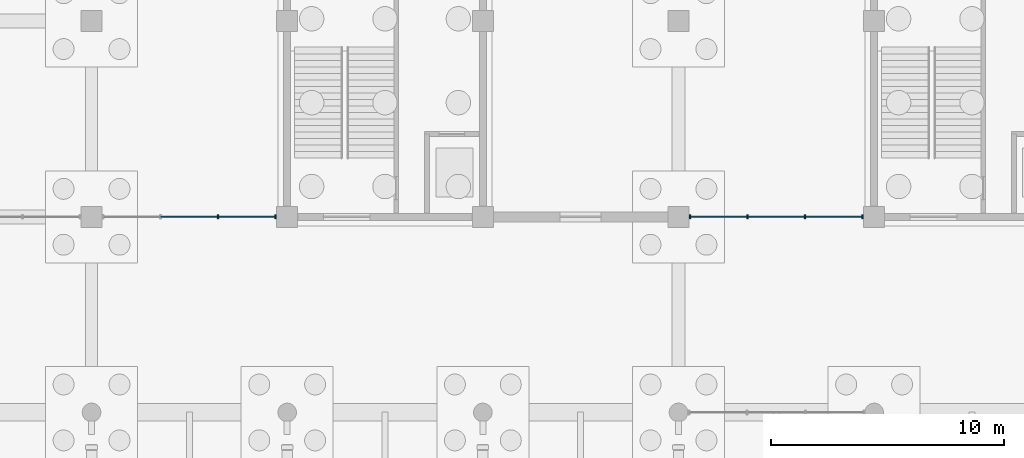
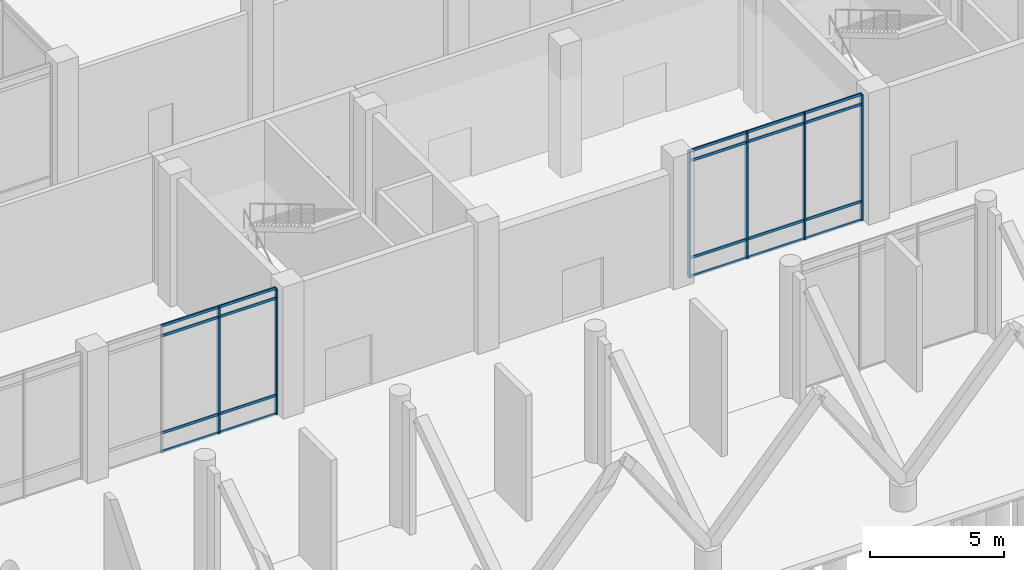
# One storey, part 19 of 72: 26 members, 2 elements without a shape of their own.
"""IFC4 building model written with IfcOpenShell, lengths in metres."""

from ifc_helpers import new_model, si_unit, direction, frame, origin, origin_2d, place, context, subcontext, project, spatial, rectangle, extrude, material, layer, layer_set, material_profile, profile_set, type_object, element, aggregate, save


model = new_model("IFC4")

# Units and contexts
model_context = context("Model", 3, precision=1e-05, world=origin(), true_north=direction((0.0, 1.0)))
body_context = subcontext(model_context, "Body", "Model", "MODEL_VIEW")
ifc_project = project(units=[si_unit("LENGTHUNIT", "METRE"), si_unit("AREAUNIT", "SQUARE_METRE"), si_unit("VOLUMEUNIT", "CUBIC_METRE"), si_unit("PLANEANGLEUNIT", "RADIAN"), si_unit("MASSUNIT", "GRAM", prefix="KILO")], contexts=[model_context])

# Site, building, storey
site_placement = place(None, origin())
site = spatial("IfcSite", under=ifc_project, at=site_placement, CompositionType="ELEMENT")
building_placement = place(site_placement, origin())
building = spatial("IfcBuilding", under=site, at=building_placement, Name="Qawsi Khor Wholesale Market", CompositionType="ELEMENT")
storey_placement = place(building_placement, origin())
storey = spatial("IfcBuildingStorey", under=building, at=storey_placement, Name="L00", CompositionType="ELEMENT", Elevation=0.0)

# Curtain wall, members
ifc_material = material(Name="Aluminium Anodised Bronze", Category="aluminium")
ifc_layer = layer(ifc_material, 0.159912109375, Name="Aluminium Anodised Bronze")
ifc_layer_set = layer_set([ifc_layer], Name="Aluminium Anodised Bronze")
curtain_wall_type = type_object("IfcCurtainWallType", Name="Boulevard Arcade Glazed Curtain Wall CW-01", PredefinedType="NOTDEFINED", material=ifc_layer_set)
curtain_wall_1_placement = place(storey_placement, origin())
curtain_wall_1 = element("IfcCurtainWall", 1, at=curtain_wall_1_placement, inside=storey, type_object=curtain_wall_type, Name="Curtain wall CW-CW-01-L00-003", PredefinedType="NOTDEFINED")
ifc_material_profile_1 = material_profile(ifc_material, rectangle(XDim=0.06494140625, YDim=0.179931640625, at=origin_2d()), Name="ALU MULLION 65x180")
ifc_profile_set_1 = profile_set([ifc_material_profile_1], Name="Aluminium Anodised Bronze")
member_type_1 = type_object("IfcMemberType", Name="Curtain Wall Mullion CW-01 ALU MULLION 65x180", PredefinedType="MULLION", material=ifc_profile_set_1)
member_1_placement = place(storey_placement, frame((64.23583984375, 8.39990234375, -0.02001953125), z_axis=(0.0, 0.0, 1.0), x_axis=(1.0, 0.0, 0.0)))
member_1 = element("IfcMember", 2, at=member_1_placement, type_object=member_type_1, Name="Mullion CW-CW-01-L00-003-M02", PredefinedType="MULLION", context=body_context, shape_type="SweptSolid", body=[
    extrude(rectangle(XDim=0.06494140625, YDim=0.179931640625, at=origin_2d()), origin(), (0.0, 0.0, 1.0), 5.739990234375),
])
member_2_placement = place(storey_placement, frame((66.70751953125, 8.39990234375, -0.02001953125), z_axis=(0.0, 0.0, 1.0), x_axis=(1.0, 0.0, 0.0)))
member_2 = element("IfcMember", 3, at=member_2_placement, type_object=member_type_1, Name="Mullion CW-CW-01-L00-003-M03", PredefinedType="MULLION", context=body_context, shape_type="SweptSolid", body=[
    extrude(rectangle(XDim=0.06494140625, YDim=0.179931640625, at=origin_2d()), origin(), (0.0, 0.0, 1.0), 5.739990234375),
])

curtain_wall_2_placement = place(storey_placement, origin())
curtain_wall_2 = element("IfcCurtainWall", 4, at=curtain_wall_2_placement, inside=storey, type_object=curtain_wall_type, Name="Curtain wall CW-CW-01-L00-004", PredefinedType="NOTDEFINED")
member_3_placement = place(storey_placement, frame((84.492431640625, 8.39990234375, -0.02001953125), z_axis=(0.0, 0.0, 1.0), x_axis=(1.0, 0.0, 0.0)))
member_3 = element("IfcMember", 5, at=member_3_placement, type_object=member_type_1, Name="Mullion CW-CW-01-L00-004-M00", PredefinedType="MULLION", context=body_context, shape_type="SweptSolid", body=[
    extrude(rectangle(XDim=0.06494140625, YDim=0.179931640625, at=origin_2d()), origin(), (0.0, 0.0, 1.0), 5.739990234375),
])
member_4_placement = place(storey_placement, frame((86.964111328125, 8.39990234375, -0.02001953125), z_axis=(0.0, 0.0, 1.0), x_axis=(1.0, 0.0, 0.0)))
member_4 = element("IfcMember", 6, at=member_4_placement, type_object=member_type_1, Name="Mullion CW-CW-01-L00-004-M01", PredefinedType="MULLION", context=body_context, shape_type="SweptSolid", body=[
    extrude(rectangle(XDim=0.06494140625, YDim=0.179931640625, at=origin_2d()), origin(), (0.0, 0.0, 1.0), 5.739990234375),
])
member_5_placement = place(storey_placement, frame((89.435791015625, 8.39990234375, -0.02001953125), z_axis=(0.0, 0.0, 1.0), x_axis=(1.0, 0.0, 0.0)))
member_5 = element("IfcMember", 7, at=member_5_placement, type_object=member_type_1, Name="Mullion CW-CW-01-L00-004-M02", PredefinedType="MULLION", context=body_context, shape_type="SweptSolid", body=[
    extrude(rectangle(XDim=0.06494140625, YDim=0.179931640625, at=origin_2d()), origin(), (0.0, 0.0, 1.0), 5.739990234375),
])
member_6_placement = place(storey_placement, frame((91.907470703125, 8.39990234375, -0.02001953125), z_axis=(0.0, 0.0, 1.0), x_axis=(1.0, 0.0, 0.0)))
member_6 = element("IfcMember", 8, at=member_6_placement, type_object=member_type_1, Name="Mullion CW-CW-01-L00-004-M03", PredefinedType="MULLION", context=body_context, shape_type="SweptSolid", body=[
    extrude(rectangle(XDim=0.06494140625, YDim=0.179931640625, at=origin_2d()), origin(), (0.0, 0.0, 1.0), 5.739990234375),
])

# Member
ifc_material_profile_2 = material_profile(ifc_material, rectangle(XDim=0.06005859375, YDim=0.1201171875, at=origin_2d()), Name="ALU TRANSOM 60x120")
ifc_profile_set_2 = profile_set([ifc_material_profile_2], Name="Aluminium Anodised Bronze")
member_type_2 = type_object("IfcMemberType", Name="Curtain Wall Transom CW-01 ALU TRANSOM 60x120", PredefinedType="USERDEFINED", material=ifc_profile_set_2)
member_7_placement = place(storey_placement, frame((61.76416015625, 8.39990234375, 0.0), z_axis=(1.0, 0.0, 0.0), x_axis=(0.0, 1.0, 0.0)))
member_7 = element("IfcMember", 9, at=member_7_placement, type_object=member_type_2, Name="Transom CW-CW-01-L00-003-T0_01", ObjectType="TRANSOM", PredefinedType="USERDEFINED", context=body_context, shape_type="SweptSolid", body=[
    extrude(rectangle(XDim=0.06005859375, YDim=0.1201171875, at=origin_2d()), origin(), (0.0, 0.0, 1.0), 2.4716796875),
])

member_8_placement = place(storey_placement, frame((64.23583984375, 8.39990234375, 0.0), z_axis=(1.0, 0.0, 0.0), x_axis=(0.0, 1.0, 0.0)))
member_8 = element("IfcMember", 10, at=member_8_placement, type_object=member_type_2, Name="Transom CW-CW-01-L00-003-T0_02", ObjectType="TRANSOM", PredefinedType="USERDEFINED", context=body_context, shape_type="SweptSolid", body=[
    extrude(rectangle(XDim=0.06005859375, YDim=0.1201171875, at=origin_2d()), origin(), (0.0, 0.0, 1.0), 2.4716796875),
])

member_9_placement = place(storey_placement, frame((61.76416015625, 8.39990234375, 0.85009765625), z_axis=(1.0, 0.0, 0.0), x_axis=(0.0, 1.0, 0.0)))
member_9 = element("IfcMember", 11, at=member_9_placement, type_object=member_type_2, Name="Transom CW-CW-01-L00-003-T1_01", ObjectType="TRANSOM", PredefinedType="USERDEFINED", context=body_context, shape_type="SweptSolid", body=[
    extrude(rectangle(XDim=0.06005859375, YDim=0.1201171875, at=origin_2d()), origin(), (0.0, 0.0, 1.0), 2.4716796875),
])

member_10_placement = place(storey_placement, frame((64.23583984375, 8.39990234375, 0.85009765625), z_axis=(1.0, 0.0, 0.0), x_axis=(0.0, 1.0, 0.0)))
member_10 = element("IfcMember", 12, at=member_10_placement, type_object=member_type_2, Name="Transom CW-CW-01-L00-003-T1_02", ObjectType="TRANSOM", PredefinedType="USERDEFINED", context=body_context, shape_type="SweptSolid", body=[
    extrude(rectangle(XDim=0.06005859375, YDim=0.1201171875, at=origin_2d()), origin(), (0.0, 0.0, 1.0), 2.4716796875),
])

member_11_placement = place(storey_placement, frame((61.76416015625, 8.39990234375, 5.27001953125), z_axis=(1.0, 0.0, 0.0), x_axis=(0.0, 1.0, 0.0)))
member_11 = element("IfcMember", 13, at=member_11_placement, type_object=member_type_2, Name="Transom CW-CW-01-L00-003-T2_01", ObjectType="TRANSOM", PredefinedType="USERDEFINED", context=body_context, shape_type="SweptSolid", body=[
    extrude(rectangle(XDim=0.06005859375, YDim=0.1201171875, at=origin_2d()), origin(), (0.0, 0.0, 1.0), 2.4716796875),
])

member_12_placement = place(storey_placement, frame((64.23583984375, 8.39990234375, 5.27001953125), z_axis=(1.0, 0.0, 0.0), x_axis=(0.0, 1.0, 0.0)))
member_12 = element("IfcMember", 14, at=member_12_placement, type_object=member_type_2, Name="Transom CW-CW-01-L00-003-T2_02", ObjectType="TRANSOM", PredefinedType="USERDEFINED", context=body_context, shape_type="SweptSolid", body=[
    extrude(rectangle(XDim=0.06005859375, YDim=0.1201171875, at=origin_2d()), origin(), (0.0, 0.0, 1.0), 2.4716796875),
])

member_13_placement = place(storey_placement, frame((61.76416015625, 8.39990234375, 5.719970703125), z_axis=(1.0, 0.0, 0.0), x_axis=(0.0, 1.0, 0.0)))
member_13 = element("IfcMember", 15, at=member_13_placement, type_object=member_type_2, Name="Transom CW-CW-01-L00-003-T3_01", ObjectType="TRANSOM", PredefinedType="USERDEFINED", context=body_context, shape_type="SweptSolid", body=[
    extrude(rectangle(XDim=0.06005859375, YDim=0.1201171875, at=origin_2d()), origin(), (0.0, 0.0, 1.0), 2.4716796875),
])

member_14_placement = place(storey_placement, frame((64.23583984375, 8.39990234375, 5.719970703125), z_axis=(1.0, 0.0, 0.0), x_axis=(0.0, 1.0, 0.0)))
member_14 = element("IfcMember", 16, at=member_14_placement, type_object=member_type_2, Name="Transom CW-CW-01-L00-003-T3_02", ObjectType="TRANSOM", PredefinedType="USERDEFINED", context=body_context, shape_type="SweptSolid", body=[
    extrude(rectangle(XDim=0.06005859375, YDim=0.1201171875, at=origin_2d()), origin(), (0.0, 0.0, 1.0), 2.4716796875),
])

aggregate(curtain_wall_1, [member_1, member_2, member_7, member_8, member_9, member_10, member_11, member_12, member_13, member_14])

member_15_placement = place(storey_placement, frame((84.492431640625, 8.39990234375, 0.0), z_axis=(1.0, 0.0, 0.0), x_axis=(0.0, 1.0, 0.0)))
member_15 = element("IfcMember", 17, at=member_15_placement, type_object=member_type_2, Name="Transom CW-CW-01-L00-004-T0_00", ObjectType="TRANSOM", PredefinedType="USERDEFINED", context=body_context, shape_type="SweptSolid", body=[
    extrude(rectangle(XDim=0.06005859375, YDim=0.1201171875, at=origin_2d()), origin(), (0.0, 0.0, 1.0), 2.4716796875),
])

member_16_placement = place(storey_placement, frame((86.964111328125, 8.39990234375, 0.0), z_axis=(1.0, 0.0, 0.0), x_axis=(0.0, 1.0, 0.0)))
member_16 = element("IfcMember", 18, at=member_16_placement, type_object=member_type_2, Name="Transom CW-CW-01-L00-004-T0_01", ObjectType="TRANSOM", PredefinedType="USERDEFINED", context=body_context, shape_type="SweptSolid", body=[
    extrude(rectangle(XDim=0.06005859375, YDim=0.1201171875, at=origin_2d()), origin(), (0.0, 0.0, 1.0), 2.4716796875),
])

member_17_placement = place(storey_placement, frame((89.435791015625, 8.39990234375, 0.0), z_axis=(1.0, 0.0, 0.0), x_axis=(0.0, 1.0, 0.0)))
member_17 = element("IfcMember", 19, at=member_17_placement, type_object=member_type_2, Name="Transom CW-CW-01-L00-004-T0_02", ObjectType="TRANSOM", PredefinedType="USERDEFINED", context=body_context, shape_type="SweptSolid", body=[
    extrude(rectangle(XDim=0.06005859375, YDim=0.1201171875, at=origin_2d()), origin(), (0.0, 0.0, 1.0), 2.4716796875),
])

member_18_placement = place(storey_placement, frame((84.492431640625, 8.39990234375, 0.85009765625), z_axis=(1.0, 0.0, 0.0), x_axis=(0.0, 1.0, 0.0)))
member_18 = element("IfcMember", 20, at=member_18_placement, type_object=member_type_2, Name="Transom CW-CW-01-L00-004-T1_00", ObjectType="TRANSOM", PredefinedType="USERDEFINED", context=body_context, shape_type="SweptSolid", body=[
    extrude(rectangle(XDim=0.06005859375, YDim=0.1201171875, at=origin_2d()), origin(), (0.0, 0.0, 1.0), 2.4716796875),
])

member_19_placement = place(storey_placement, frame((86.964111328125, 8.39990234375, 0.85009765625), z_axis=(1.0, 0.0, 0.0), x_axis=(0.0, 1.0, 0.0)))
member_19 = element("IfcMember", 21, at=member_19_placement, type_object=member_type_2, Name="Transom CW-CW-01-L00-004-T1_01", ObjectType="TRANSOM", PredefinedType="USERDEFINED", context=body_context, shape_type="SweptSolid", body=[
    extrude(rectangle(XDim=0.06005859375, YDim=0.1201171875, at=origin_2d()), origin(), (0.0, 0.0, 1.0), 2.4716796875),
])

member_20_placement = place(storey_placement, frame((89.435791015625, 8.39990234375, 0.85009765625), z_axis=(1.0, 0.0, 0.0), x_axis=(0.0, 1.0, 0.0)))
member_20 = element("IfcMember", 22, at=member_20_placement, type_object=member_type_2, Name="Transom CW-CW-01-L00-004-T1_02", ObjectType="TRANSOM", PredefinedType="USERDEFINED", context=body_context, shape_type="SweptSolid", body=[
    extrude(rectangle(XDim=0.06005859375, YDim=0.1201171875, at=origin_2d()), origin(), (0.0, 0.0, 1.0), 2.4716796875),
])

member_21_placement = place(storey_placement, frame((84.492431640625, 8.39990234375, 5.27001953125), z_axis=(1.0, 0.0, 0.0), x_axis=(0.0, 1.0, 0.0)))
member_21 = element("IfcMember", 23, at=member_21_placement, type_object=member_type_2, Name="Transom CW-CW-01-L00-004-T2_00", ObjectType="TRANSOM", PredefinedType="USERDEFINED", context=body_context, shape_type="SweptSolid", body=[
    extrude(rectangle(XDim=0.06005859375, YDim=0.1201171875, at=origin_2d()), origin(), (0.0, 0.0, 1.0), 2.4716796875),
])

member_22_placement = place(storey_placement, frame((86.964111328125, 8.39990234375, 5.27001953125), z_axis=(1.0, 0.0, 0.0), x_axis=(0.0, 1.0, 0.0)))
member_22 = element("IfcMember", 24, at=member_22_placement, type_object=member_type_2, Name="Transom CW-CW-01-L00-004-T2_01", ObjectType="TRANSOM", PredefinedType="USERDEFINED", context=body_context, shape_type="SweptSolid", body=[
    extrude(rectangle(XDim=0.06005859375, YDim=0.1201171875, at=origin_2d()), origin(), (0.0, 0.0, 1.0), 2.4716796875),
])

member_23_placement = place(storey_placement, frame((89.435791015625, 8.39990234375, 5.27001953125), z_axis=(1.0, 0.0, 0.0), x_axis=(0.0, 1.0, 0.0)))
member_23 = element("IfcMember", 25, at=member_23_placement, type_object=member_type_2, Name="Transom CW-CW-01-L00-004-T2_02", ObjectType="TRANSOM", PredefinedType="USERDEFINED", context=body_context, shape_type="SweptSolid", body=[
    extrude(rectangle(XDim=0.06005859375, YDim=0.1201171875, at=origin_2d()), origin(), (0.0, 0.0, 1.0), 2.4716796875),
])

member_24_placement = place(storey_placement, frame((84.492431640625, 8.39990234375, 5.719970703125), z_axis=(1.0, 0.0, 0.0), x_axis=(0.0, 1.0, 0.0)))
member_24 = element("IfcMember", 26, at=member_24_placement, type_object=member_type_2, Name="Transom CW-CW-01-L00-004-T3_00", ObjectType="TRANSOM", PredefinedType="USERDEFINED", context=body_context, shape_type="SweptSolid", body=[
    extrude(rectangle(XDim=0.06005859375, YDim=0.1201171875, at=origin_2d()), origin(), (0.0, 0.0, 1.0), 2.4716796875),
])

member_25_placement = place(storey_placement, frame((86.964111328125, 8.39990234375, 5.719970703125), z_axis=(1.0, 0.0, 0.0), x_axis=(0.0, 1.0, 0.0)))
member_25 = element("IfcMember", 27, at=member_25_placement, type_object=member_type_2, Name="Transom CW-CW-01-L00-004-T3_01", ObjectType="TRANSOM", PredefinedType="USERDEFINED", context=body_context, shape_type="SweptSolid", body=[
    extrude(rectangle(XDim=0.06005859375, YDim=0.1201171875, at=origin_2d()), origin(), (0.0, 0.0, 1.0), 2.4716796875),
])

member_26_placement = place(storey_placement, frame((89.435791015625, 8.39990234375, 5.719970703125), z_axis=(1.0, 0.0, 0.0), x_axis=(0.0, 1.0, 0.0)))
member_26 = element("IfcMember", 28, at=member_26_placement, type_object=member_type_2, Name="Transom CW-CW-01-L00-004-T3_02", ObjectType="TRANSOM", PredefinedType="USERDEFINED", context=body_context, shape_type="SweptSolid", body=[
    extrude(rectangle(XDim=0.06005859375, YDim=0.1201171875, at=origin_2d()), origin(), (0.0, 0.0, 1.0), 2.4716796875),
])

aggregate(curtain_wall_2, [member_3, member_4, member_5, member_6, member_15, member_16, member_17, member_18, member_19, member_20, member_21, member_22, member_23, member_24, member_25, member_26])

save(model, "model.ifc")
